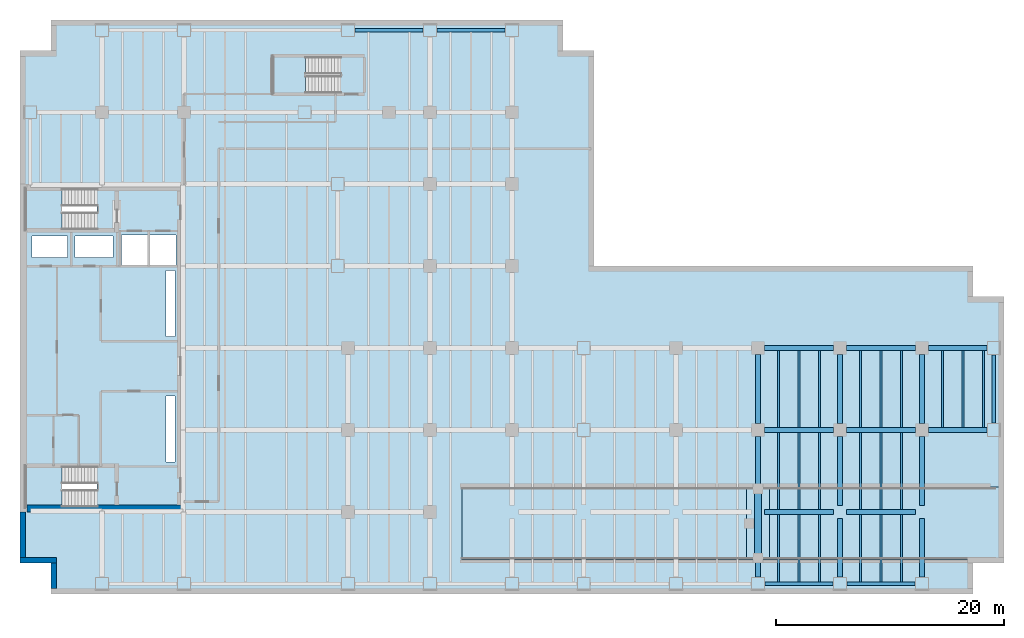
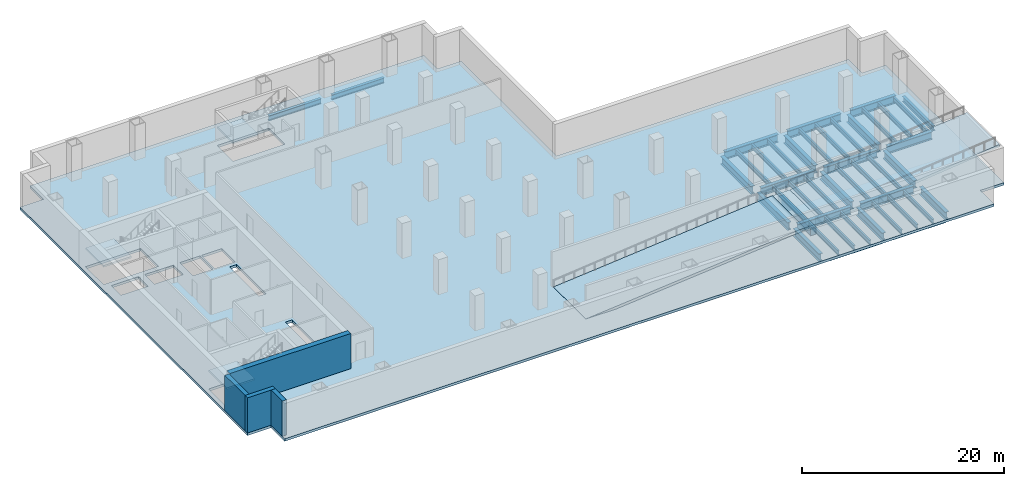
# One storey, part 4 of 11: 44 beams, 7 slabs, 4 walls, 10 openings, 3 elements without a shape of their own.
"""IFC4 building model written with IfcOpenShell, lengths in metres."""

from ifc_helpers import new_model, si_unit, direction, frame, frame_2d, origin, origin_2d, place, context, subcontext, project, spatial, polyline, rectangle, i_section, outline, extrude, material, layer, layer_set, material_profile, profile_set, type_object, element, aggregate, save


model = new_model("IFC4")

# Units and contexts
model_context = context("Model", 3, precision=1e-05, world=origin(), true_north=direction((0.0, 1.0)))
body_context = subcontext(model_context, "Body", "Model", "MODEL_VIEW")
ifc_project = project(units=[si_unit("LENGTHUNIT", "METRE"), si_unit("AREAUNIT", "SQUARE_METRE"), si_unit("VOLUMEUNIT", "CUBIC_METRE"), si_unit("PLANEANGLEUNIT", "RADIAN"), si_unit("MASSUNIT", "GRAM", prefix="KILO")], contexts=[model_context])

# Site, building, storey
site_placement = place(None, origin())
site = spatial("IfcSite", under=ifc_project, at=site_placement, CompositionType="ELEMENT")
building_placement = place(site_placement, origin())
building = spatial("IfcBuilding", under=site, at=building_placement, Name="Cobrela Telecom Tower", CompositionType="ELEMENT")
storey_placement = place(building_placement, frame((0.0, 0.0, -4.550048828125)))
storey = spatial("IfcBuildingStorey", under=building, at=storey_placement, Name="B1", CompositionType="ELEMENT", Elevation=-4.550048828125)

# Beams
ifc_material_1 = material(Name="Steel ASTM A992 Grade 50", Category="steel")
ifc_material_profile_1 = material_profile(ifc_material_1, i_section(OverallWidth=0.424072265625, OverallDepth=0.947021484375, WebThickness=0.02392578125, FlangeThickness=0.042724609375, FilletRadius=0.02392578125, at=origin_2d()), Name="W36X302")
ifc_profile_set_1 = profile_set([ifc_material_profile_1], Name="Steel ASTM A992 Grade 50")
beam_type_1 = type_object("IfcBeamType", Name="BM-GIRD-01", PredefinedType="USERDEFINED", material=ifc_profile_set_1)
for number, where, z_axis, x_axis, name in (
    (1, (65.35498046875, 7.199951171875, -0.7734375), (1.0, 0.0, 0.0), (0.0, 1.0, 0.0), "B1 Primary Girder X17"),
    (2, (72.554931640625, 7.199951171875, -0.7734375), (1.0, 0.0, 0.0), (0.0, 1.0, 0.0), "B1 Primary Girder X18"),
    (3, (65.35498046875, 14.39990234375, -0.7734375), (1.0, 0.0, 0.0), (0.0, 1.0, 0.0), "B1 Primary Girder X25"),
    (4, (72.554931640625, 14.39990234375, -0.7734375), (1.0, 0.0, 0.0), (0.0, 1.0, 0.0), "B1 Primary Girder X26"),
):
    element("IfcBeam", number, at=place(storey_placement, frame(where, z_axis=z_axis, x_axis=x_axis)), inside=storey, type_object=beam_type_1, Name=name, ObjectType="GIRDER", PredefinedType="USERDEFINED", context=body_context, shape_type="SweptSolid", body=[
        extrude(i_section(OverallWidth=0.424072265625, OverallDepth=0.947021484375, WebThickness=0.02392578125, FlangeThickness=0.042724609375, FilletRadius=0.02392578125, at=origin_2d()), origin(), (0.0, 0.0, 1.0), 6.090087890625),
    ])
beam_1_placement = place(storey_placement, frame((79.7548828125, 14.39990234375, -0.7734375), z_axis=(1.0, 0.0, 0.0), x_axis=(0.0, 1.0, 0.0)))
element("IfcBeam", 5, at=beam_1_placement, inside=storey, type_object=beam_type_1, Name="B1 Primary Girder X27", ObjectType="GIRDER", PredefinedType="USERDEFINED", context=body_context, shape_type="SweptSolid", body=[
    extrude(i_section(OverallWidth=0.424072265625, OverallDepth=0.947021484375, WebThickness=0.02392578125, FlangeThickness=0.042724609375, FilletRadius=0.02392578125, at=origin_2d()), origin(), (0.0, 0.0, 1.0), 5.14013671875),
])
for number, where, z_axis, x_axis, name in (
    (6, (65.35498046875, 21.60009765625, -0.7734375), (1.0, 0.0, 0.0), (0.0, 1.0, 0.0), "B1 Primary Girder X34"),
    (7, (72.554931640625, 21.60009765625, -0.7734375), (1.0, 0.0, 0.0), (0.0, 1.0, 0.0), "B1 Primary Girder X35"),
):
    element("IfcBeam", number, at=place(storey_placement, frame(where, z_axis=z_axis, x_axis=x_axis)), inside=storey, type_object=beam_type_1, Name=name, ObjectType="GIRDER", PredefinedType="USERDEFINED", context=body_context, shape_type="SweptSolid", body=[
        extrude(i_section(OverallWidth=0.424072265625, OverallDepth=0.947021484375, WebThickness=0.02392578125, FlangeThickness=0.042724609375, FilletRadius=0.02392578125, at=origin_2d()), origin(), (0.0, 0.0, 1.0), 6.090087890625),
    ])
for number, where, z_axis, x_axis, name in (
    (8, (79.7548828125, 21.60009765625, -0.7734375), (1.0, 0.0, 0.0), (0.0, 1.0, 0.0), "B1 Primary Girder X36"),
    (9, (64.800048828125, 1.5048828125, -0.7734375), (0.0, 1.0, 0.0), (-1.0, 0.0, 0.0), "B1 Primary Girder Y90"),
):
    element("IfcBeam", number, at=place(storey_placement, frame(where, z_axis=z_axis, x_axis=x_axis)), inside=storey, type_object=beam_type_1, Name=name, ObjectType="GIRDER", PredefinedType="USERDEFINED", context=body_context, shape_type="SweptSolid", body=[
        extrude(i_section(OverallWidth=0.424072265625, OverallDepth=0.947021484375, WebThickness=0.02392578125, FlangeThickness=0.042724609375, FilletRadius=0.02392578125, at=origin_2d()), origin(), (0.0, 0.0, 1.0), 5.14013671875),
    ])
beam_2_placement = place(storey_placement, frame((64.800048828125, 7.7548828125, -0.7734375), z_axis=(0.0, 1.0, 0.0), x_axis=(-1.0, 0.0, 0.0)))
element("IfcBeam", 10, at=beam_2_placement, inside=storey, type_object=beam_type_1, Name="B1 Primary Girder Y91", ObjectType="GIRDER", PredefinedType="USERDEFINED", context=body_context, shape_type="SweptSolid", body=[
    extrude(i_section(OverallWidth=0.424072265625, OverallDepth=0.947021484375, WebThickness=0.02392578125, FlangeThickness=0.042724609375, FilletRadius=0.02392578125, at=origin_2d()), origin(), (0.0, 0.0, 1.0), 6.090087890625),
])
beam_3_placement = place(storey_placement, frame((64.800048828125, 14.955078125, -0.7734375), z_axis=(0.0, 1.0, 0.0), x_axis=(-1.0, 0.0, 0.0)))
element("IfcBeam", 11, at=beam_3_placement, inside=storey, type_object=beam_type_1, Name="B1 Primary Girder Y92", ObjectType="GIRDER", PredefinedType="USERDEFINED", context=body_context, shape_type="SweptSolid", body=[
    extrude(i_section(OverallWidth=0.424072265625, OverallDepth=0.947021484375, WebThickness=0.02392578125, FlangeThickness=0.042724609375, FilletRadius=0.02392578125, at=origin_2d()), origin(), (0.0, 0.0, 1.0), 6.08984375),
])
beam_4_placement = place(storey_placement, frame((72.0, 1.5048828125, -0.7734375), z_axis=(0.0, 1.0, 0.0), x_axis=(-1.0, 0.0, 0.0)))
element("IfcBeam", 12, at=beam_4_placement, inside=storey, type_object=beam_type_1, Name="B1 Primary Girder Y93", ObjectType="GIRDER", PredefinedType="USERDEFINED", context=body_context, shape_type="SweptSolid", body=[
    extrude(i_section(OverallWidth=0.424072265625, OverallDepth=0.947021484375, WebThickness=0.02392578125, FlangeThickness=0.042724609375, FilletRadius=0.02392578125, at=origin_2d()), origin(), (0.0, 0.0, 1.0), 5.14013671875),
])
beam_5_placement = place(storey_placement, frame((72.0, 7.7548828125, -0.7734375), z_axis=(0.0, 1.0, 0.0), x_axis=(-1.0, 0.0, 0.0)))
element("IfcBeam", 13, at=beam_5_placement, inside=storey, type_object=beam_type_1, Name="B1 Primary Girder Y94", ObjectType="GIRDER", PredefinedType="USERDEFINED", context=body_context, shape_type="SweptSolid", body=[
    extrude(i_section(OverallWidth=0.424072265625, OverallDepth=0.947021484375, WebThickness=0.02392578125, FlangeThickness=0.042724609375, FilletRadius=0.02392578125, at=origin_2d()), origin(), (0.0, 0.0, 1.0), 6.090087890625),
])
beam_6_placement = place(storey_placement, frame((72.0, 14.955078125, -0.7734375), z_axis=(0.0, 1.0, 0.0), x_axis=(-1.0, 0.0, 0.0)))
element("IfcBeam", 14, at=beam_6_placement, inside=storey, type_object=beam_type_1, Name="B1 Primary Girder Y95", ObjectType="GIRDER", PredefinedType="USERDEFINED", context=body_context, shape_type="SweptSolid", body=[
    extrude(i_section(OverallWidth=0.424072265625, OverallDepth=0.947021484375, WebThickness=0.02392578125, FlangeThickness=0.042724609375, FilletRadius=0.02392578125, at=origin_2d()), origin(), (0.0, 0.0, 1.0), 6.08984375),
])
beam_7_placement = place(storey_placement, frame((79.199951171875, 1.5048828125, -0.7734375), z_axis=(0.0, 1.0, 0.0), x_axis=(-1.0, 0.0, 0.0)))
element("IfcBeam", 15, at=beam_7_placement, inside=storey, type_object=beam_type_1, Name="B1 Primary Girder Y96", ObjectType="GIRDER", PredefinedType="USERDEFINED", context=body_context, shape_type="SweptSolid", body=[
    extrude(i_section(OverallWidth=0.424072265625, OverallDepth=0.947021484375, WebThickness=0.02392578125, FlangeThickness=0.042724609375, FilletRadius=0.02392578125, at=origin_2d()), origin(), (0.0, 0.0, 1.0), 5.14013671875),
])
beam_8_placement = place(storey_placement, frame((79.199951171875, 7.7548828125, -0.7734375), z_axis=(0.0, 1.0, 0.0), x_axis=(-1.0, 0.0, 0.0)))
element("IfcBeam", 16, at=beam_8_placement, inside=storey, type_object=beam_type_1, Name="B1 Primary Girder Y97", ObjectType="GIRDER", PredefinedType="USERDEFINED", context=body_context, shape_type="SweptSolid", body=[
    extrude(i_section(OverallWidth=0.424072265625, OverallDepth=0.947021484375, WebThickness=0.02392578125, FlangeThickness=0.042724609375, FilletRadius=0.02392578125, at=origin_2d()), origin(), (0.0, 0.0, 1.0), 6.090087890625),
])
beam_9_placement = place(storey_placement, frame((79.199951171875, 14.955078125, -0.7734375), z_axis=(0.0, 1.0, 0.0), x_axis=(-1.0, 0.0, 0.0)))
element("IfcBeam", 17, at=beam_9_placement, inside=storey, type_object=beam_type_1, Name="B1 Primary Girder Y98", ObjectType="GIRDER", PredefinedType="USERDEFINED", context=body_context, shape_type="SweptSolid", body=[
    extrude(i_section(OverallWidth=0.424072265625, OverallDepth=0.947021484375, WebThickness=0.02392578125, FlangeThickness=0.042724609375, FilletRadius=0.02392578125, at=origin_2d()), origin(), (0.0, 0.0, 1.0), 6.08984375),
])
ifc_material_profile_2 = material_profile(ifc_material_1, i_section(OverallWidth=0.212890625, OverallDepth=0.549072265625, WebThickness=0.0146484375, FlangeThickness=0.023681640625, FilletRadius=0.013916015625, at=origin_2d()), Name="W21X93")
ifc_profile_set_2 = profile_set([ifc_material_profile_2], Name="Steel ASTM A992 Grade 50")
beam_type_2 = type_object("IfcBeamType", Name="BM-JOIST-01", PredefinedType="JOIST", material=ifc_profile_set_2)
beam_10_placement = place(storey_placement, frame((66.60009765625, 1.069091796875, -0.574462890625), z_axis=(0.0, 1.0, 0.0), x_axis=(-1.0, 0.0, 0.0)))
element("IfcBeam", 18, at=beam_10_placement, inside=storey, type_object=beam_type_2, Name="B1 Secondary Composite Floor Beam J113", PredefinedType="JOIST", context=body_context, shape_type="SweptSolid", body=[
    extrude(i_section(OverallWidth=0.212890625, OverallDepth=0.549072265625, WebThickness=0.0146484375, FlangeThickness=0.023681640625, FilletRadius=0.013916015625, at=origin_2d()), origin(), (0.0, 0.0, 1.0), 5.913818359375),
])
for number, where, z_axis, x_axis, name in (
    (19, (66.60009765625, 7.4169921875, -0.574462890625), (0.0, 1.0, 0.0), (-1.0, 0.0, 0.0), "B1 Secondary Composite Floor Beam J114"),
    (20, (66.60009765625, 14.616943359375, -0.574462890625), (0.0, 1.0, 0.0), (-1.0, 0.0, 0.0), "B1 Secondary Composite Floor Beam J115"),
):
    element("IfcBeam", number, at=place(storey_placement, frame(where, z_axis=z_axis, x_axis=x_axis)), inside=storey, type_object=beam_type_2, Name=name, PredefinedType="JOIST", context=body_context, shape_type="SweptSolid", body=[
        extrude(i_section(OverallWidth=0.212890625, OverallDepth=0.549072265625, WebThickness=0.0146484375, FlangeThickness=0.023681640625, FilletRadius=0.013916015625, at=origin_2d()), origin(), (0.0, 0.0, 1.0), 6.76611328125),
    ])
beam_11_placement = place(storey_placement, frame((68.39990234375, 1.069091796875, -0.574462890625), z_axis=(0.0, 1.0, 0.0), x_axis=(-1.0, 0.0, 0.0)))
element("IfcBeam", 21, at=beam_11_placement, inside=storey, type_object=beam_type_2, Name="B1 Secondary Composite Floor Beam J116", PredefinedType="JOIST", context=body_context, shape_type="SweptSolid", body=[
    extrude(i_section(OverallWidth=0.212890625, OverallDepth=0.549072265625, WebThickness=0.0146484375, FlangeThickness=0.023681640625, FilletRadius=0.013916015625, at=origin_2d()), origin(), (0.0, 0.0, 1.0), 5.913818359375),
])
for number, where, z_axis, x_axis, name in (
    (22, (68.39990234375, 7.4169921875, -0.574462890625), (0.0, 1.0, 0.0), (-1.0, 0.0, 0.0), "B1 Secondary Composite Floor Beam J117"),
    (23, (68.39990234375, 14.616943359375, -0.574462890625), (0.0, 1.0, 0.0), (-1.0, 0.0, 0.0), "B1 Secondary Composite Floor Beam J118"),
):
    element("IfcBeam", number, at=place(storey_placement, frame(where, z_axis=z_axis, x_axis=x_axis)), inside=storey, type_object=beam_type_2, Name=name, PredefinedType="JOIST", context=body_context, shape_type="SweptSolid", body=[
        extrude(i_section(OverallWidth=0.212890625, OverallDepth=0.549072265625, WebThickness=0.0146484375, FlangeThickness=0.023681640625, FilletRadius=0.013916015625, at=origin_2d()), origin(), (0.0, 0.0, 1.0), 6.76611328125),
    ])
beam_12_placement = place(storey_placement, frame((70.199951171875, 1.069091796875, -0.574462890625), z_axis=(0.0, 1.0, 0.0), x_axis=(-1.0, 0.0, 0.0)))
element("IfcBeam", 24, at=beam_12_placement, inside=storey, type_object=beam_type_2, Name="B1 Secondary Composite Floor Beam J119", PredefinedType="JOIST", context=body_context, shape_type="SweptSolid", body=[
    extrude(i_section(OverallWidth=0.212890625, OverallDepth=0.549072265625, WebThickness=0.0146484375, FlangeThickness=0.023681640625, FilletRadius=0.013916015625, at=origin_2d()), origin(), (0.0, 0.0, 1.0), 5.913818359375),
])
for number, where, z_axis, x_axis, name in (
    (25, (70.199951171875, 7.4169921875, -0.574462890625), (0.0, 1.0, 0.0), (-1.0, 0.0, 0.0), "B1 Secondary Composite Floor Beam J120"),
    (26, (70.199951171875, 14.616943359375, -0.574462890625), (0.0, 1.0, 0.0), (-1.0, 0.0, 0.0), "B1 Secondary Composite Floor Beam J121"),
):
    element("IfcBeam", number, at=place(storey_placement, frame(where, z_axis=z_axis, x_axis=x_axis)), inside=storey, type_object=beam_type_2, Name=name, PredefinedType="JOIST", context=body_context, shape_type="SweptSolid", body=[
        extrude(i_section(OverallWidth=0.212890625, OverallDepth=0.549072265625, WebThickness=0.0146484375, FlangeThickness=0.023681640625, FilletRadius=0.013916015625, at=origin_2d()), origin(), (0.0, 0.0, 1.0), 6.76611328125),
    ])
beam_13_placement = place(storey_placement, frame((73.800048828125, 1.069091796875, -0.574462890625), z_axis=(0.0, 1.0, 0.0), x_axis=(-1.0, 0.0, 0.0)))
element("IfcBeam", 27, at=beam_13_placement, inside=storey, type_object=beam_type_2, Name="B1 Secondary Composite Floor Beam J122", PredefinedType="JOIST", context=body_context, shape_type="SweptSolid", body=[
    extrude(i_section(OverallWidth=0.212890625, OverallDepth=0.549072265625, WebThickness=0.0146484375, FlangeThickness=0.023681640625, FilletRadius=0.013916015625, at=origin_2d()), origin(), (0.0, 0.0, 1.0), 5.913818359375),
])
for number, where, z_axis, x_axis, name in (
    (28, (73.800048828125, 7.4169921875, -0.574462890625), (0.0, 1.0, 0.0), (-1.0, 0.0, 0.0), "B1 Secondary Composite Floor Beam J123"),
    (29, (73.800048828125, 14.616943359375, -0.574462890625), (0.0, 1.0, 0.0), (-1.0, 0.0, 0.0), "B1 Secondary Composite Floor Beam J124"),
):
    element("IfcBeam", number, at=place(storey_placement, frame(where, z_axis=z_axis, x_axis=x_axis)), inside=storey, type_object=beam_type_2, Name=name, PredefinedType="JOIST", context=body_context, shape_type="SweptSolid", body=[
        extrude(i_section(OverallWidth=0.212890625, OverallDepth=0.549072265625, WebThickness=0.0146484375, FlangeThickness=0.023681640625, FilletRadius=0.013916015625, at=origin_2d()), origin(), (0.0, 0.0, 1.0), 6.76611328125),
    ])
beam_14_placement = place(storey_placement, frame((75.60009765625, 1.069091796875, -0.574462890625), z_axis=(0.0, 1.0, 0.0), x_axis=(-1.0, 0.0, 0.0)))
element("IfcBeam", 30, at=beam_14_placement, inside=storey, type_object=beam_type_2, Name="B1 Secondary Composite Floor Beam J125", PredefinedType="JOIST", context=body_context, shape_type="SweptSolid", body=[
    extrude(i_section(OverallWidth=0.212890625, OverallDepth=0.549072265625, WebThickness=0.0146484375, FlangeThickness=0.023681640625, FilletRadius=0.013916015625, at=origin_2d()), origin(), (0.0, 0.0, 1.0), 5.913818359375),
])
for number, where, z_axis, x_axis, name in (
    (31, (75.60009765625, 7.4169921875, -0.574462890625), (0.0, 1.0, 0.0), (-1.0, 0.0, 0.0), "B1 Secondary Composite Floor Beam J126"),
    (32, (75.60009765625, 14.616943359375, -0.574462890625), (0.0, 1.0, 0.0), (-1.0, 0.0, 0.0), "B1 Secondary Composite Floor Beam J127"),
):
    element("IfcBeam", number, at=place(storey_placement, frame(where, z_axis=z_axis, x_axis=x_axis)), inside=storey, type_object=beam_type_2, Name=name, PredefinedType="JOIST", context=body_context, shape_type="SweptSolid", body=[
        extrude(i_section(OverallWidth=0.212890625, OverallDepth=0.549072265625, WebThickness=0.0146484375, FlangeThickness=0.023681640625, FilletRadius=0.013916015625, at=origin_2d()), origin(), (0.0, 0.0, 1.0), 6.76611328125),
    ])
beam_15_placement = place(storey_placement, frame((77.39990234375, 1.069091796875, -0.574462890625), z_axis=(0.0, 1.0, 0.0), x_axis=(-1.0, 0.0, 0.0)))
element("IfcBeam", 33, at=beam_15_placement, inside=storey, type_object=beam_type_2, Name="B1 Secondary Composite Floor Beam J128", PredefinedType="JOIST", context=body_context, shape_type="SweptSolid", body=[
    extrude(i_section(OverallWidth=0.212890625, OverallDepth=0.549072265625, WebThickness=0.0146484375, FlangeThickness=0.023681640625, FilletRadius=0.013916015625, at=origin_2d()), origin(), (0.0, 0.0, 1.0), 5.913818359375),
])
for number, where, z_axis, x_axis, name in (
    (34, (77.39990234375, 7.4169921875, -0.574462890625), (0.0, 1.0, 0.0), (-1.0, 0.0, 0.0), "B1 Secondary Composite Floor Beam J129"),
    (35, (77.39990234375, 14.616943359375, -0.574462890625), (0.0, 1.0, 0.0), (-1.0, 0.0, 0.0), "B1 Secondary Composite Floor Beam J130"),
    (36, (81.0, 14.616943359375, -0.574462890625), (0.0, 1.0, 0.0), (-1.0, 0.0, 0.0), "B1 Secondary Composite Floor Beam J131"),
    (37, (82.800048828125, 14.616943359375, -0.574462890625), (0.0, 1.0, 0.0), (-1.0, 0.0, 0.0), "B1 Secondary Composite Floor Beam J132"),
    (38, (84.60009765625, 14.616943359375, -0.574462890625), (0.0, 1.0, 0.0), (-1.0, 0.0, 0.0), "B1 Secondary Composite Floor Beam J133"),
):
    element("IfcBeam", number, at=place(storey_placement, frame(where, z_axis=z_axis, x_axis=x_axis)), inside=storey, type_object=beam_type_2, Name=name, PredefinedType="JOIST", context=body_context, shape_type="SweptSolid", body=[
        extrude(i_section(OverallWidth=0.212890625, OverallDepth=0.549072265625, WebThickness=0.0146484375, FlangeThickness=0.023681640625, FilletRadius=0.013916015625, at=origin_2d()), origin(), (0.0, 0.0, 1.0), 6.76611328125),
    ])
ifc_material_2 = material(Name="Concrete C40/50", Category="concrete")
ifc_material_profile_3 = material_profile(ifc_material_2, rectangle(XDim=0.60009765625, YDim=0.89990234375, at=origin_2d()), Name="RC 600x900")
ifc_profile_set_3 = profile_set([ifc_material_profile_3], Name="Concrete C40/50")
beam_type_3 = type_object("IfcBeamType", Name="BM-RAMP-RC", PredefinedType="BEAM", material=ifc_profile_set_3)
beam_16_placement = place(storey_placement, frame((64.800048828125, 3.0, 1.505126953125), z_axis=(0.0, 1.0, 0.0), x_axis=(-1.0, 0.0, 0.0)))
element("IfcBeam", 39, at=beam_16_placement, inside=storey, type_object=beam_type_3, Name="B1 Vehicle Ramp Mid-Landing Support Beam", PredefinedType="BEAM", context=body_context, shape_type="SweptSolid", body=[
    extrude(rectangle(XDim=0.60009765625, YDim=0.89990234375, at=origin_2d()), origin(), (0.0, 0.0, 1.0), 6.39990234375),
])
ifc_material_profile_4 = material_profile(ifc_material_1, i_section(OverallWidth=0.327880859375, OverallDepth=0.6220703125, WebThickness=0.015380859375, FlangeThickness=0.0244140625, FilletRadius=0.014892578125, at=origin_2d()), Name="W24X131")
ifc_profile_set_4 = profile_set([ifc_material_profile_4], Name="Steel ASTM A992 Grade 50")
beam_type_4 = type_object("IfcBeamType", Name="BM-SPAND-01", PredefinedType="SPANDREL", material=ifc_profile_set_4)
for number, where, z_axis, x_axis, name in (
    (40, (65.405029296875, 0.89990234375, -0.61083984375), (1.0, 0.0, 0.0), (0.0, 1.0, 0.0), "B1 Perimeter Spandrel X08"),
    (41, (72.60498046875, 0.89990234375, -0.61083984375), (1.0, 0.0, 0.0), (0.0, 1.0, 0.0), "B1 Perimeter Spandrel X09"),
    (42, (29.405029296875, 49.5, -0.61083984375), (1.0, 0.0, 0.0), (0.0, 1.0, 0.0), "B1 Perimeter Spandrel X53"),
    (43, (36.60498046875, 49.5, -0.61083984375), (1.0, 0.0, 0.0), (0.0, 1.0, 0.0), "B1 Perimeter Spandrel X54"),
):
    element("IfcBeam", number, at=place(storey_placement, frame(where, z_axis=z_axis, x_axis=x_axis)), inside=storey, type_object=beam_type_4, Name=name, PredefinedType="SPANDREL", context=body_context, shape_type="SweptSolid", body=[
        extrude(i_section(OverallWidth=0.327880859375, OverallDepth=0.6220703125, WebThickness=0.015380859375, FlangeThickness=0.0244140625, FilletRadius=0.014892578125, at=origin_2d()), origin(), (0.0, 0.0, 1.0), 5.989990234375),
    ])
beam_17_placement = place(storey_placement, frame((85.5, 15.0048828125, -0.61083984375), z_axis=(0.0, 1.0, 0.0), x_axis=(-1.0, 0.0, 0.0)))
element("IfcBeam", 44, at=beam_17_placement, inside=storey, type_object=beam_type_4, Name="B1 Perimeter Spandrel Y99", PredefinedType="SPANDREL", context=body_context, shape_type="SweptSolid", body=[
    extrude(i_section(OverallWidth=0.327880859375, OverallDepth=0.6220703125, WebThickness=0.015380859375, FlangeThickness=0.0244140625, FilletRadius=0.014892578125, at=origin_2d()), origin(), (0.0, 0.0, 1.0), 5.990234375),
])

# Slab, openings
ifc_layer_1 = layer(ifc_material_2, 0.300048828125)
ifc_layer_set_1 = layer_set([ifc_layer_1], Name="Concrete C40/50")
slab_type_1 = type_object("IfcSlabType", Name="SLAB-FLR-300", PredefinedType="FLOOR", material=ifc_layer_set_1)
slab_1_placement = place(storey_placement, frame((0.0, 0.0, -0.300048828125)))
slab_1 = element("IfcSlab", 45, at=slab_1_placement, inside=storey, type_object=slab_type_1, Name="B1 Structural Floor Slab", PredefinedType="FLOOR", context=body_context, shape_type="SweptSolid", body=[
    extrude(outline(polyline([(2.699951171875, 0.0), (83.699951171875, 0.0), (83.699951171875, 2.699951171875), (86.39990234375, 2.699951171875), (86.39990234375, 26.10009765625), (83.699951171875, 26.10009765625), (83.699951171875, 28.800048828125), (50.39990234375, 28.800048828125), (50.39990234375, 47.699951171875), (47.699951171875, 47.699951171875), (47.699951171875, 50.39990234375), (2.699951171875, 50.39990234375), (2.699951171875, 47.699951171875), (0.0, 47.699951171875), (0.0, 2.699951171875), (2.699951171875, 2.699951171875), (2.699951171875, 0.0)])), origin(), (0.0, 0.0, 1.0), 0.300048828125),
])
opening_1_placement = place(slab_1_placement, frame((0.0, 0.0, -0.02001953125)))
element("IfcOpeningElement", 46, at=opening_1_placement, cuts=slab_1, Name="Slab Shaft Opening SLAB-B1-MAIN.1", PredefinedType="OPENING", context=body_context, shape_type="SweptSolid", body=[
    extrude(outline(polyline([(8.89990234375, 28.89990234375), (11.199951171875, 28.89990234375), (11.199951171875, 31.5), (8.89990234375, 31.5), (8.89990234375, 28.89990234375)])), origin(), (0.0, 0.0, 1.0), 0.340087890625),
])
opening_2_placement = place(slab_1_placement, frame((0.0, 0.0, -0.02001953125)))
element("IfcOpeningElement", 47, at=opening_2_placement, cuts=slab_1, Name="Slab Shaft Opening SLAB-B1-MAIN.2", PredefinedType="OPENING", context=body_context, shape_type="SweptSolid", body=[
    extrude(outline(polyline([(11.39990234375, 28.89990234375), (13.699951171875, 28.89990234375), (13.699951171875, 31.5), (11.39990234375, 31.5), (11.39990234375, 28.89990234375)])), origin(), (0.0, 0.0, 1.0), 0.340087890625),
])
opening_3_placement = place(slab_1_placement, frame((0.0, 0.0, -0.02001953125)))
element("IfcOpeningElement", 48, at=opening_3_placement, cuts=slab_1, Name="Slab Shaft Opening SLAB-B1-MAIN.3", PredefinedType="OPENING", context=body_context, shape_type="SweptSolid", body=[
    extrude(outline(polyline([(1.050048828125, 29.550048828125), (4.14990234375, 29.550048828125), (4.14990234375, 31.449951171875), (1.050048828125, 31.449951171875), (1.050048828125, 29.550048828125)])), origin(), (0.0, 0.0, 1.0), 0.340087890625),
])
opening_4_placement = place(slab_1_placement, frame((0.0, 0.0, -0.02001953125)))
element("IfcOpeningElement", 49, at=opening_4_placement, cuts=slab_1, Name="Slab Shaft Opening SLAB-B1-MAIN.4", PredefinedType="OPENING", context=body_context, shape_type="SweptSolid", body=[
    extrude(outline(polyline([(4.85009765625, 29.550048828125), (8.14990234375, 29.550048828125), (8.14990234375, 31.449951171875), (4.85009765625, 31.449951171875), (4.85009765625, 29.550048828125)])), origin(), (0.0, 0.0, 1.0), 0.340087890625),
])
opening_5_placement = place(slab_1_placement, frame((0.0, 0.0, -0.02001953125)))
element("IfcOpeningElement", 50, at=opening_5_placement, cuts=slab_1, Name="Slab Shaft Opening SLAB-B1-MAIN.5", PredefinedType="OPENING", context=body_context, shape_type="SweptSolid", body=[
    extrude(outline(polyline([(12.800048828125, 22.60009765625), (13.60009765625, 22.60009765625), (13.60009765625, 28.39990234375), (12.800048828125, 28.39990234375), (12.800048828125, 22.60009765625)])), origin(), (0.0, 0.0, 1.0), 0.340087890625),
])
opening_6_placement = place(slab_1_placement, frame((0.0, 0.0, -0.02001953125)))
element("IfcOpeningElement", 51, at=opening_6_placement, cuts=slab_1, Name="Slab Shaft Opening SLAB-B1-MAIN.6", PredefinedType="OPENING", context=body_context, shape_type="SweptSolid", body=[
    extrude(outline(polyline([(12.800048828125, 11.60009765625), (13.60009765625, 11.60009765625), (13.60009765625, 17.39990234375), (12.800048828125, 17.39990234375), (12.800048828125, 11.60009765625)])), origin(), (0.0, 0.0, 1.0), 0.340087890625),
])
opening_7_placement = place(slab_1_placement, frame((0.0, 0.0, -0.02001953125)))
element("IfcOpeningElement", 52, at=opening_7_placement, cuts=slab_1, Name="Slab Shaft Opening SLAB-B1-MAIN.7", PredefinedType="OPENING", context=body_context, shape_type="SweptSolid", body=[
    extrude(outline(polyline([(38.800048828125, 3.0), (42.35009765625, 3.0), (42.35009765625, 9.39990234375), (38.800048828125, 9.39990234375), (38.800048828125, 3.0)])), origin(), (0.0, 0.0, 1.0), 0.340087890625),
])
opening_8_placement = place(slab_1_placement, frame((0.0, 0.0, -0.02001953125)))
element("IfcOpeningElement", 53, at=opening_8_placement, cuts=slab_1, Name="Slab Shaft Opening SLAB-B1-MAIN.8", PredefinedType="OPENING", context=body_context, shape_type="SweptSolid", body=[
    extrude(outline(polyline([(6.7548828125, 35.550048828125), (0.47998046875, 35.550048828125), (0.47998046875, 32.0), (6.7548828125, 32.0), (6.7548828125, 35.550048828125)])), origin(), (0.0, 0.0, 1.0), 0.340087890625),
])
opening_9_placement = place(slab_1_placement, frame((0.0, 0.0, -0.02001953125)))
element("IfcOpeningElement", 54, at=opening_9_placement, cuts=slab_1, Name="Slab Shaft Opening SLAB-B1-MAIN.9", PredefinedType="OPENING", context=body_context, shape_type="SweptSolid", body=[
    extrude(outline(polyline([(6.7548828125, 11.199951171875), (0.47998046875, 11.199951171875), (0.47998046875, 7.64990234375), (6.7548828125, 7.64990234375), (6.7548828125, 11.199951171875)])), origin(), (0.0, 0.0, 1.0), 0.340087890625),
])
opening_10_placement = place(slab_1_placement, frame((0.0, 0.0, -0.02001953125)))
element("IfcOpeningElement", 55, at=opening_10_placement, cuts=slab_1, Name="Slab Shaft Opening SLAB-B1-MAIN.10", PredefinedType="OPENING", context=body_context, shape_type="SweptSolid", body=[
    extrude(outline(polyline([(28.135009765625, 47.14990234375), (22.199951171875, 47.14990234375), (22.199951171875, 44.0), (28.135009765625, 44.0), (28.135009765625, 47.14990234375)])), origin(), (0.0, 0.0, 1.0), 0.340087890625),
])

# Stair, slab
stair_type = type_object("IfcStairType", Name="STAIR-CORE", PredefinedType="HALF_TURN_STAIR", material=ifc_material_2)
stair_1_placement = place(storey_placement, origin())
stair_1 = element("IfcStair", 56, at=stair_1_placement, inside=storey, type_object=stair_type, Name="B1 Smokeproof Exit Stair ST1", PredefinedType="HALF_TURN_STAIR")
ifc_layer_2 = layer(ifc_material_2, 0.199951171875)
ifc_layer_set_2 = layer_set([ifc_layer_2], Name="Concrete C40/50")
slab_type_2 = type_object("IfcSlabType", Name="SLAB-LAND-200", PredefinedType="LANDING", material=ifc_layer_set_2)
slab_2_placement = place(storey_placement, frame((0.0, 0.0, 2.074951171875)))
slab_2 = element("IfcSlab", 57, at=slab_2_placement, type_object=slab_type_2, Name="ST1 landing 1", PredefinedType="LANDING", context=body_context, shape_type="SweptSolid", body=[
    extrude(outline(polyline([(3.68505859375, 35.550048828125), (0.47998046875, 35.550048828125), (0.47998046875, 32.0), (3.68505859375, 32.0), (3.68505859375, 35.550048828125)])), origin(), (0.0, 0.0, 1.0), 0.2001953125),
])
aggregate(stair_1, [slab_2])

stair_2_placement = place(storey_placement, origin())
stair_2 = element("IfcStair", 58, at=stair_2_placement, inside=storey, type_object=stair_type, Name="B1 Smokeproof Exit Stair ST2", PredefinedType="HALF_TURN_STAIR")
slab_3_placement = place(storey_placement, frame((0.0, 0.0, 2.074951171875)))
slab_3 = element("IfcSlab", 59, at=slab_3_placement, type_object=slab_type_2, Name="ST2 landing 1", PredefinedType="LANDING", context=body_context, shape_type="SweptSolid", body=[
    extrude(outline(polyline([(3.68505859375, 11.199951171875), (0.47998046875, 11.199951171875), (0.47998046875, 7.64990234375), (3.68505859375, 7.64990234375), (3.68505859375, 11.199951171875)])), origin(), (0.0, 0.0, 1.0), 0.2001953125),
])
aggregate(stair_2, [slab_3])

stair_3_placement = place(storey_placement, origin())
stair_3 = element("IfcStair", 60, at=stair_3_placement, inside=storey, type_object=stair_type, Name="B1 Smokeproof Exit Stair ST3", PredefinedType="HALF_TURN_STAIR")
slab_4_placement = place(storey_placement, frame((0.0, 0.0, 2.074951171875)))
slab_4 = element("IfcSlab", 61, at=slab_4_placement, type_object=slab_type_2, Name="ST3 landing 1", PredefinedType="LANDING", context=body_context, shape_type="SweptSolid", body=[
    extrude(outline(polyline([(25.06494140625, 47.14990234375), (22.199951171875, 47.14990234375), (22.199951171875, 44.0), (25.06494140625, 44.0), (25.06494140625, 47.14990234375)])), origin(), (0.0, 0.0, 1.0), 0.2001953125),
])
aggregate(stair_3, [slab_4])

# Slabs
ifc_layer_3 = layer(ifc_material_2, 0.320068359375)
ifc_layer_set_3 = layer_set([ifc_layer_3], Name="Concrete C40/50")
slab_type_3 = type_object("IfcSlabType", Name="SLAB-RAMP-C40-320", PredefinedType="FLOOR", material=ifc_layer_set_3)
slab_5_placement = place(storey_placement, frame((38.800048828125, 3.0, 0.0), z_axis=(-0.090631325922, 0.0, 0.995884512763), x_axis=(0.995884512763, 0.0, 0.090631325922)))
element("IfcSlab", 62, at=slab_5_placement, inside=storey, type_object=slab_type_3, Name="Car park vehicle ramp VR-1 lower structural slab", PredefinedType="FLOOR", context=body_context, shape_type="SweptSolid", body=[
    extrude(outline(polyline([(0.0, 0.0), (25.103312361625985, 0.0), (25.103312361625985, 6.39990234375), (0.0, 6.39990234375), (0.0, 0.0)])), origin(), (0.0, 0.0, -1.0), 0.320068359375),
])
slab_6_placement = place(storey_placement, frame((0.0, 0.0, 1.955078125)))
element("IfcSlab", 63, at=slab_6_placement, inside=storey, type_object=slab_type_3, Name="Car park vehicle ramp VR-1 mid-landing structural slab", PredefinedType="LANDING", context=body_context, shape_type="SweptSolid", body=[
    extrude(outline(polyline([(63.800048828125, 3.0), (65.800048828125, 3.0), (65.800048828125, 9.39990234375), (63.800048828125, 9.39990234375), (63.800048828125, 3.0)])), origin(), (0.0, 0.0, 1.0), 0.320068359375),
])
slab_7_placement = place(storey_placement, frame((65.800048828125, 3.0, 2.275146484375), z_axis=(-0.111638599549, 0.0, 0.993748873253), x_axis=(0.993748873253, 0.0, 0.111638599549)))
element("IfcSlab", 64, at=slab_7_placement, inside=storey, type_object=slab_type_3, Name="Car park vehicle ramp VR-1 upper structural slab", PredefinedType="FLOOR", context=body_context, shape_type="SweptSolid", body=[
    extrude(outline(polyline([(0.0, 0.0), (20.377381595131382, 0.0), (20.377381595131382, 6.39990234375), (0.0, 6.39990234375), (0.0, 0.0)])), origin(), (0.0, 0.0, -1.0), 0.320068359375),
])

# Walls
ifc_material_3 = material(Name="Concrete C50/60", Category="concrete")
ifc_layer_4 = layer(ifc_material_3, 0.60009765625)
ifc_layer_set_4 = layer_set([ifc_layer_4], Name="Concrete C50/60")
wall_type_1 = type_object("IfcWallType", Name="WALL-CORE-C50-600", PredefinedType="SHEAR", material=ifc_layer_set_4)
wall_1_placement = place(storey_placement, frame((0.60009765625, 7.5, 0.0), z_axis=(0.0, 0.0, 1.0), x_axis=(1.0, 0.0, 0.0)))
element("IfcWall", 65, at=wall_1_placement, inside=storey, type_object=wall_type_1, Name="B1 South Core Shear Wall", PredefinedType="SHEAR", context=body_context, shape_type="SweptSolid", body=[
    extrude(rectangle(XDim=13.7998046875, YDim=0.60009765625, at=frame_2d((6.89990234375, 0.0))), origin(), (0.0, 0.0, 1.0), 4.25),
])
ifc_layer_5 = layer(ifc_material_2, 0.5)
ifc_layer_set_5 = layer_set([ifc_layer_5], Name="Concrete C40/50")
wall_type_2 = type_object("IfcWallType", Name="WALL-RET-C40-500", PredefinedType="SOLIDWALL", material=ifc_layer_set_5)
wall_2_placement = place(storey_placement, frame((2.949951171875, 0.5, 0.0), z_axis=(0.0, 0.0, 1.0), x_axis=(0.0, 1.0, 0.0)))
element("IfcWall", 66, at=wall_2_placement, inside=storey, type_object=wall_type_2, Name="B1 Basement Retaining Wall 01", PredefinedType="SOLIDWALL", context=body_context, shape_type="SweptSolid", body=[
    extrude(rectangle(XDim=2.199951171875, YDim=0.5, at=frame_2d((1.10009765625, 0.0))), origin(), (0.0, 0.0, 1.0), 4.25),
])
wall_3_placement = place(storey_placement, frame((3.199951171875, 2.949951171875, 0.0), z_axis=(0.0, 0.0, 1.0), x_axis=(-1.0, 0.0, 0.0)))
element("IfcWall", 67, at=wall_3_placement, inside=storey, type_object=wall_type_2, Name="B1 Basement Retaining Wall 02", PredefinedType="SOLIDWALL", context=body_context, shape_type="SweptSolid", body=[
    extrude(rectangle(XDim=3.199951171875, YDim=0.5, at=frame_2d((1.60009765625, 0.0))), origin(), (0.0, 0.0, 1.0), 4.25),
])
wall_4_placement = place(storey_placement, frame((0.25, 3.199951171875, 0.0), z_axis=(0.0, 0.0, 1.0), x_axis=(0.0, 1.0, 0.0)))
element("IfcWall", 68, at=wall_4_placement, inside=storey, type_object=wall_type_2, Name="B1 Basement Retaining Wall 3.1", PredefinedType="SOLIDWALL", context=body_context, shape_type="SweptSolid", body=[
    extrude(rectangle(XDim=4.0, YDim=0.5, at=frame_2d((2.0, 0.0))), origin(), (0.0, 0.0, 1.0), 4.25),
])

save(model, "model.ifc")
